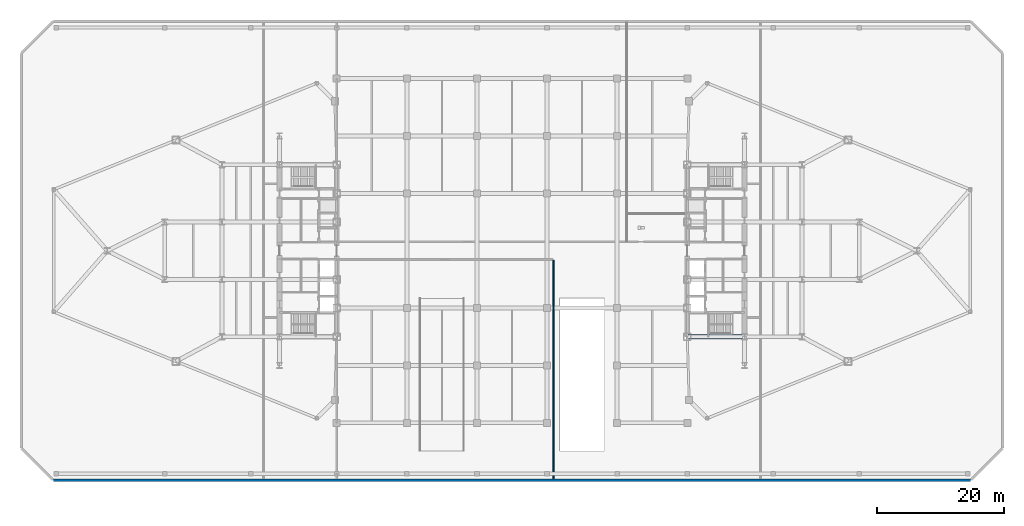
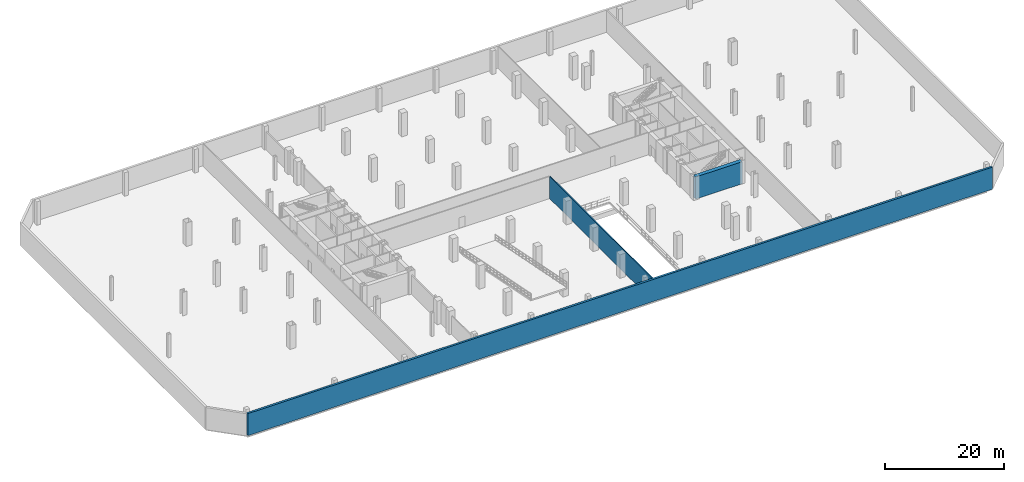
# One storey, part 11 of 18: 3 walls.
"""IFC4 building model written with IfcOpenShell, lengths in metres."""

from ifc_helpers import new_model, si_unit, direction, frame, frame_2d, origin, place, context, subcontext, project, spatial, rectangle, extrude, material, layer, layer_set, type_object, element, save


model = new_model("IFC4")

# Units and contexts
model_context = context("Model", 3, precision=1e-05, world=origin(), true_north=direction((0.0, 1.0)))
body_context = subcontext(model_context, "Body", "Model", "MODEL_VIEW")
ifc_project = project(units=[si_unit("LENGTHUNIT", "METRE"), si_unit("AREAUNIT", "SQUARE_METRE"), si_unit("VOLUMEUNIT", "CUBIC_METRE"), si_unit("PLANEANGLEUNIT", "RADIAN"), si_unit("MASSUNIT", "GRAM", prefix="KILO")], contexts=[model_context])

# Site, building, storey
site_placement = place(None, origin())
site = spatial("IfcSite", under=ifc_project, at=site_placement, CompositionType="ELEMENT")
building_placement = place(site_placement, origin())
building = spatial("IfcBuilding", under=site, at=building_placement, Name="Seokmaru Belvedere", CompositionType="ELEMENT")
storey_placement = place(building_placement, frame((0.0, 0.0, -4.800048828125)))
storey = spatial("IfcBuildingStorey", under=building, at=storey_placement, Name="B1", CompositionType="ELEMENT", Elevation=-4.800048828125)

# Walls
ifc_material_1 = material(Name="Fire-Rated Gypsum Shaftwall")
ifc_layer_1 = layer(ifc_material_1, 0.199951171875)
ifc_layer_set_1 = layer_set([ifc_layer_1], Name="Fire-Rated Gypsum Shaftwall")
wall_type_1 = type_object("IfcWallType", Name="Inter-Tenancy Fire Compartment Partition 200", PredefinedType="PARTITIONING", material=ifc_layer_set_1)
wall_1_placement = place(storey_placement, frame((6.5, -35.794921875, 0.0), z_axis=(0.0, 0.0, 1.0), x_axis=(0.0, 1.0, 0.0)))
element("IfcWall", 1, at=wall_1_placement, inside=storey, type_object=wall_type_1, Name="B1 Interior Partition 011", PredefinedType="PARTITIONING", context=body_context, shape_type="SweptSolid", body=[
    extrude(rectangle(XDim=34.309814453125, YDim=0.199951171875, at=frame_2d((17.15478515625, 0.0))), origin(), (0.0, 0.0, 1.0), 4.52001953125),
])
ifc_material_2 = material(Name="Concrete C60 (60 MPa)", Category="concrete")
ifc_layer_2 = layer(ifc_material_2, 0.75)
ifc_layer_set_2 = layer_set([ifc_layer_2], Name="Concrete C60 (60 MPa)")
wall_type_2 = type_object("IfcWallType", Name="Lower Tower Reinforced Concrete Core Wall 750", PredefinedType="SHEAR", material=ifc_layer_set_2)
wall_2_placement = place(storey_placement, frame((27.5, -13.5, 0.0), z_axis=(0.0, 0.0, 1.0), x_axis=(1.0, 0.0, 0.0)))
element("IfcWall", 2, at=wall_2_placement, inside=storey, type_object=wall_type_2, Name="B1 East South Core Wall", PredefinedType="SHEAR", context=body_context, shape_type="SweptSolid", body=[
    extrude(rectangle(XDim=9.0, YDim=0.75, at=frame_2d((4.5, 0.0))), origin(), (0.0, 0.0, 1.0), 4.52001953125),
])
ifc_material_3 = material(Name="Concrete C50 (50 MPa)", Category="concrete")
ifc_layer_3 = layer(ifc_material_3, 0.39990234375)
ifc_layer_set_3 = layer_set([ifc_layer_3], Name="Concrete C50 (50 MPa)")
wall_type_3 = type_object("IfcWallType", Name="Upper Basement Retaining Wall 400", PredefinedType="USERDEFINED", material=ifc_layer_set_3)
wall_3_placement = place(storey_placement, frame((-71.9599609375, -36.0, 0.0), z_axis=(0.0, 0.0, 1.0), x_axis=(1.0, 0.0, 0.0)))
element("IfcWall", 3, at=wall_3_placement, inside=storey, type_object=wall_type_3, Name="B1 Perimeter Retaining Wall 1", ObjectType="RETAININGWALL", PredefinedType="USERDEFINED", context=body_context, shape_type="SweptSolid", body=[
    extrude(rectangle(XDim=143.919921875, YDim=0.39990234375, at=frame_2d((71.9599609375, 0.0))), origin(), (0.0, 0.0, 1.0), 4.52001953125),
])

save(model, "model.ifc")
